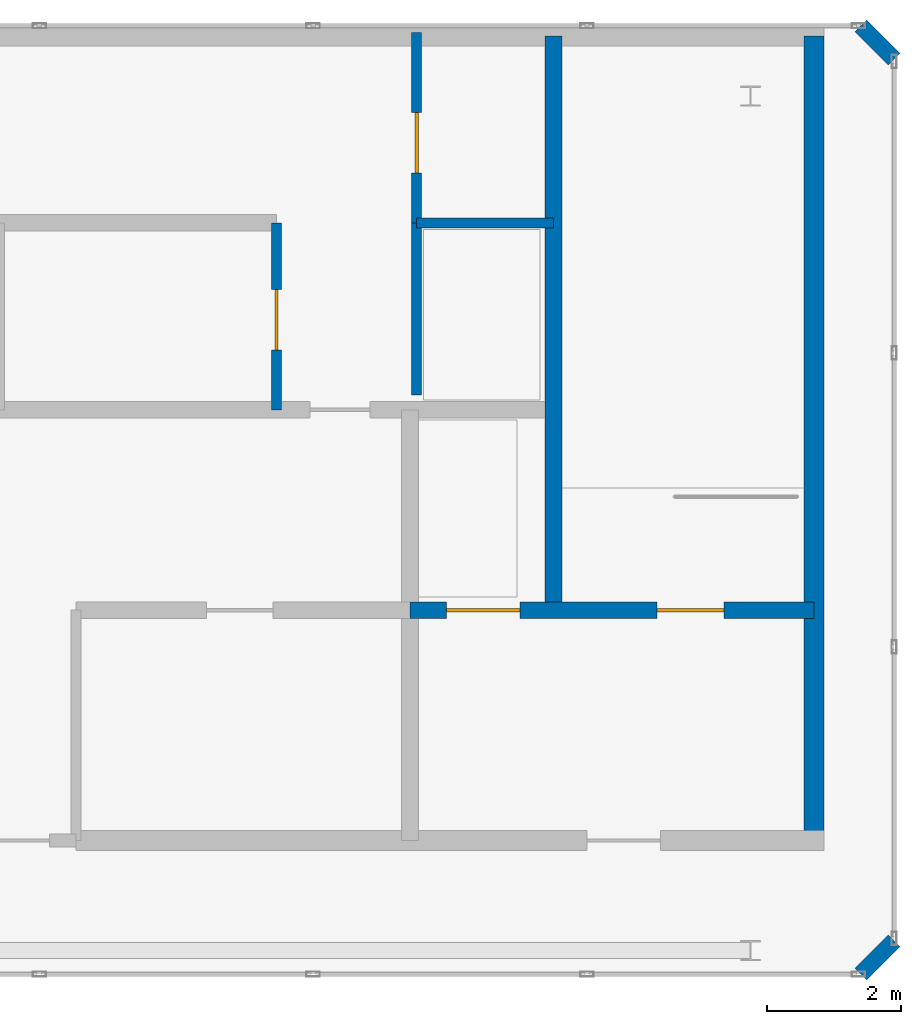
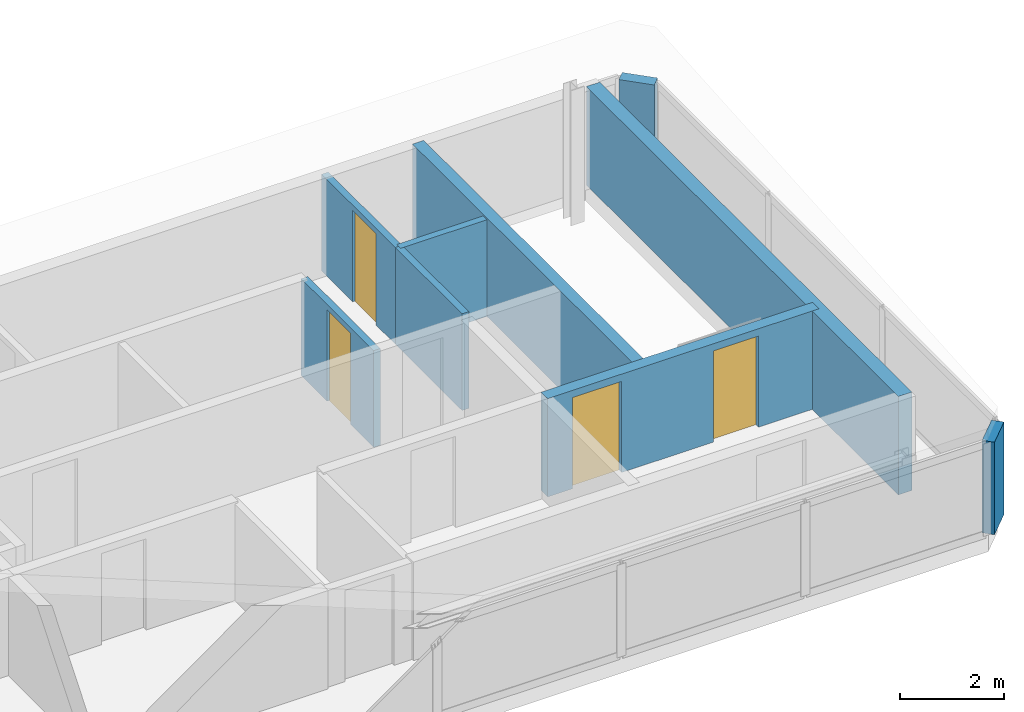
# One storey, part 8 of 9: 9 walls, 4 doors, 4 openings.
"""IFC4 building model written with IfcOpenShell, lengths in metres."""

from ifc_helpers import new_model, si_unit, direction, frame, frame_2d, origin, place, context, subcontext, project, spatial, rectangle, extrude, material, layer, layer_set, type_object, element, fill, save


model = new_model("IFC4")

# Units and contexts
model_context = context("Model", 3, precision=1e-05, world=origin(), true_north=direction((0.0, 1.0)))
body_context = subcontext(model_context, "Body", "Model", "MODEL_VIEW")
ifc_project = project(units=[si_unit("LENGTHUNIT", "METRE"), si_unit("AREAUNIT", "SQUARE_METRE"), si_unit("VOLUMEUNIT", "CUBIC_METRE"), si_unit("PLANEANGLEUNIT", "RADIAN"), si_unit("MASSUNIT", "GRAM", prefix="KILO")], contexts=[model_context])

# Site, building, storey
site_placement = place(None, origin())
site = spatial("IfcSite", under=ifc_project, at=site_placement, CompositionType="ELEMENT")
building_placement = place(site_placement, origin())
building = spatial("IfcBuilding", under=site, at=building_placement, Name="Catumbela Crestline Tower", CompositionType="ELEMENT")
storey_placement = place(building_placement, frame((0.0, 0.0, 318.5)))
storey = spatial("IfcBuildingStorey", under=building, at=storey_placement, Name="L82", CompositionType="ELEMENT", Elevation=318.5)

# Wall
ifc_material_1 = material(Name="Concrete C50/60", Category="concrete")
ifc_layer_1 = layer(ifc_material_1, 0.25, Name="Concrete C50/60")
ifc_layer_set_1 = layer_set([ifc_layer_1], Name="Concrete C50/60")
wall_type_1 = type_object("IfcWallType", Name="CW-250D", PredefinedType="SHEAR", material=ifc_layer_set_1)
wall_1_placement = place(storey_placement, frame((36.1, 34.25, 0.0), z_axis=(0.0, 0.0, 1.0), x_axis=(0.0, 1.0, 0.0)))
element("IfcWall", 1, at=wall_1_placement, inside=storey, type_object=wall_type_1, Name="L82 Structural Core Shear Wall EWEB", PredefinedType="SHEAR", context=body_context, shape_type="SweptSolid", body=[
    extrude(rectangle(XDim=8.6, YDim=0.25, at=frame_2d((4.3, 0.0))), origin(), (0.0, 0.0, 1.0), 2.32),
])

# Wall, openings, doors
wall_2_placement = place(storey_placement, frame((33.95, 34.25, 0.0), z_axis=(0.0, 0.0, 1.0), x_axis=(1.0, 0.0, 0.0)))
wall_2 = element("IfcWall", 2, at=wall_2_placement, inside=storey, type_object=wall_type_1, Name="L82 Structural Core Shear Wall ST2S", PredefinedType="SHEAR", context=body_context, shape_type="SweptSolid", body=[
    extrude(rectangle(XDim=6.05, YDim=0.25, at=frame_2d((3.025, 0.0))), origin(), (0.0, 0.0, 1.0), 2.32),
])
opening_1_placement = place(wall_2_placement, frame((3.7, 0.0, 0.0)))
opening_1 = element("IfcOpeningElement", 3, at=opening_1_placement, cuts=wall_2, Name="Opening DF9-100", PredefinedType="OPENING", context=body_context, shape_type="SweptSolid", body=[
    extrude(rectangle(XDim=1.0, YDim=2.15, at=frame_2d((0.5, 1.075))), frame((0.0, 0.135, 0.0), z_axis=(0.0, -1.0, 0.0), x_axis=(1.0, 0.0, 0.0)), (0.0, 0.0, 1.0), 0.27),
])
opening_2_placement = place(wall_2_placement, frame((0.55, 0.0, 0.0)))
opening_2 = element("IfcOpeningElement", 4, at=opening_2_placement, cuts=wall_2, Name="Opening LD-110", PredefinedType="OPENING", context=body_context, shape_type="SweptSolid", body=[
    extrude(rectangle(XDim=1.1, YDim=2.15, at=frame_2d((0.55, 1.075))), frame((0.0, 0.135, 0.0), z_axis=(0.0, -1.0, 0.0), x_axis=(1.0, 0.0, 0.0)), (0.0, 0.0, 1.0), 0.27),
])
ifc_material_2 = material(Name="Stainless steel EN 1.4401", Category="steel")
door_type_1 = type_object("IfcDoorType", Name="DF9-100", OperationType="NOTDEFINED", PredefinedType="DOOR", material=ifc_material_2)
door_1_placement = place(opening_1_placement, origin())
door_1 = element("IfcDoor", 5, at=door_1_placement, inside=storey, type_object=door_type_1, Name="L82 Interior Door DR-L82-ST02", OperationType="SINGLE_SWING_RIGHT", OverallHeight=2.15, OverallWidth=1.0, PredefinedType="DOOR", context=body_context, shape_type="SweptSolid", body=[
    extrude(rectangle(XDim=1.0, YDim=2.15, at=frame_2d((0.5, 1.075))), frame((0.0, 0.025, 0.0), z_axis=(0.0, -1.0, 0.0), x_axis=(1.0, 0.0, 0.0)), (0.0, 0.0, 1.0), 0.05),
])
fill(opening_1, door_1)
door_type_2 = type_object("IfcDoorType", Name="LD-110", OperationType="NOTDEFINED", PredefinedType="DOOR", material=ifc_material_2)
door_2_placement = place(opening_2_placement, origin())
door_2 = element("IfcDoor", 6, at=door_2_placement, inside=storey, type_object=door_type_2, Name="L82 Lift Landing Sliding Door FL-02", OperationType="DOUBLE_DOOR_SLIDING", OverallHeight=2.15, OverallWidth=1.1, PredefinedType="DOOR", context=body_context, shape_type="SweptSolid", body=[
    extrude(rectangle(XDim=1.1, YDim=2.15, at=frame_2d((0.55, 1.075))), frame((0.0, 0.025, 0.0), z_axis=(0.0, -1.0, 0.0), x_axis=(1.0, 0.0, 0.0)), (0.0, 0.0, 1.0), 0.05),
])
fill(opening_2, door_2)

# Walls
ifc_material_3 = material(Name="Concrete C45/55", Category="concrete")
ifc_layer_2 = layer(ifc_material_3, 0.3, Name="Concrete C45/55")
ifc_layer_set_2 = layer_set([ifc_layer_2], Name="Concrete C45/55")
wall_type_2 = type_object("IfcWallType", Name="CW-300C", PredefinedType="SHEAR", material=ifc_layer_set_2)
wall_3_placement = place(storey_placement, frame((40.0, 30.8, 0.0), z_axis=(0.0, 0.0, 1.0), x_axis=(0.0, 1.0, 0.0)))
element("IfcWall", 7, at=wall_3_placement, inside=storey, type_object=wall_type_2, Name="L82 Structural Core Shear Wall E", PredefinedType="SHEAR", context=body_context, shape_type="SweptSolid", body=[
    extrude(rectangle(XDim=12.05, YDim=0.3, at=frame_2d((6.025, 0.0))), origin(), (0.0, 0.0, 1.0), 2.32),
])
ifc_material_4 = material(Name="Angolan grey-ochre granite", Category="masonry")
ifc_layer_3 = layer(ifc_material_4, 0.25, Name="Angolan grey-ochre granite")
ifc_layer_set_3 = layer_set([ifc_layer_3], Name="Angolan grey-ochre granite")
wall_type_3 = type_object("IfcWallType", Name="WE-250", PredefinedType="STANDARD", material=ifc_layer_set_3)
for number, where, z_axis, x_axis, name in (
    (8, (40.7, 28.8, 0.0), (0.0, 0.0, 1.0), (0.707106781187, 0.707106781187, 0.0), "L82 Granite Punched Window Wall 1-1"),
    (9, (41.2, 42.5, 0.0), (0.0, 0.0, 1.0), (-0.707106781187, 0.707106781187, 0.0), "L82 Granite Punched Window Wall 3-1"),
):
    element("IfcWall", number, at=place(storey_placement, frame(where, z_axis=z_axis, x_axis=x_axis)), inside=storey, type_object=wall_type_3, Name=name, PredefinedType="STANDARD", context=body_context, shape_type="SweptSolid", body=[
        extrude(rectangle(XDim=0.7071, YDim=0.25, at=frame_2d((0.3535, 0.0))), origin(), (0.0, 0.0, 1.0), 2.18),
    ])
ifc_material_5 = material(Name="Acoustic gypsum and mineral-wool partition")
ifc_layer_4 = layer(ifc_material_5, 0.15, Name="Acoustic gypsum and mineral-wool partition")
ifc_layer_set_4 = layer_set([ifc_layer_4], Name="Acoustic gypsum and mineral-wool partition")
wall_type_4 = type_object("IfcWallType", Name="WP-150", PredefinedType="PARTITIONING", material=ifc_layer_set_4)
wall_4_placement = place(storey_placement, frame((34.05, 40.05, 0.0), z_axis=(0.0, 0.0, 1.0), x_axis=(1.0, 0.0, 0.0)))
element("IfcWall", 10, at=wall_4_placement, inside=storey, type_object=wall_type_4, Name="L82 Interior Partition PW-L82-CR-ES", PredefinedType="PARTITIONING", context=body_context, shape_type="SweptSolid", body=[
    extrude(rectangle(XDim=2.05, YDim=0.15, at=frame_2d((1.025, 0.0))), origin(), (0.0, 0.0, 1.0), 2.28),
])

# Wall, opening, door
wall_5_placement = place(storey_placement, frame((34.05, 40.05, 0.0), z_axis=(0.0, 0.0, 1.0), x_axis=(0.0, 1.0, 0.0)))
wall_5 = element("IfcWall", 11, at=wall_5_placement, inside=storey, type_object=wall_type_4, Name="L82 Interior Partition PW-L82-CR-EW", PredefinedType="PARTITIONING", context=body_context, shape_type="SweptSolid", body=[
    extrude(rectangle(XDim=2.85, YDim=0.15, at=frame_2d((1.425, 0.0))), origin(), (0.0, 0.0, 1.0), 2.28),
])
opening_3_placement = place(wall_5_placement, frame((0.75, 0.0, 0.0)))
opening_3 = element("IfcOpeningElement", 12, at=opening_3_placement, cuts=wall_5, Name="Opening DF9-090", PredefinedType="OPENING", context=body_context, shape_type="SweptSolid", body=[
    extrude(rectangle(XDim=0.9, YDim=2.15, at=frame_2d((0.45, 1.075))), frame((0.0, 0.085, 0.0), z_axis=(0.0, -1.0, 0.0), x_axis=(1.0, 0.0, 0.0)), (0.0, 0.0, 1.0), 0.17),
])
door_type_3 = type_object("IfcDoorType", Name="DF9-090", OperationType="NOTDEFINED", PredefinedType="DOOR", material=ifc_material_2)
door_3_placement = place(opening_3_placement, origin())
door_3 = element("IfcDoor", 13, at=door_3_placement, inside=storey, type_object=door_type_3, Name="L82 Interior Door DR-L82-CREAST", OperationType="SINGLE_SWING_RIGHT", OverallHeight=2.15, OverallWidth=0.9, PredefinedType="DOOR", context=body_context, shape_type="SweptSolid", body=[
    extrude(rectangle(XDim=0.9, YDim=2.15, at=frame_2d((0.45, 1.075))), frame((0.0, 0.025, 0.0), z_axis=(0.0, -1.0, 0.0), x_axis=(1.0, 0.0, 0.0)), (0.0, 0.0, 1.0), 0.05),
])
fill(opening_3, door_3)

ifc_layer_5 = layer(ifc_material_5, 0.15, Name="Acoustic gypsum and mineral-wool partition")
ifc_layer_set_5 = layer_set([ifc_layer_5], Name="Acoustic gypsum and mineral-wool partition")
wall_type_5 = type_object("IfcWallType", Name="WS-150", PredefinedType="PLUMBINGWALL", material=ifc_layer_set_5)
wall_6_placement = place(storey_placement, frame((31.95, 37.25, 0.0), z_axis=(0.0, 0.0, 1.0), x_axis=(0.0, 1.0, 0.0)))
wall_6 = element("IfcWall", 14, at=wall_6_placement, inside=storey, type_object=wall_type_5, Name="L82 Interior Partition PW-L82-SHEX2E", PredefinedType="PLUMBINGWALL", context=body_context, shape_type="SweptSolid", body=[
    extrude(rectangle(XDim=2.8, YDim=0.15, at=frame_2d((1.4, 0.0))), origin(), (0.0, 0.0, 1.0), 2.28),
])
opening_4_placement = place(wall_6_placement, frame((0.9, 0.0, 0.0)))
opening_4 = element("IfcOpeningElement", 15, at=opening_4_placement, cuts=wall_6, Name="Opening DF9-090", PredefinedType="OPENING", context=body_context, shape_type="SweptSolid", body=[
    extrude(rectangle(XDim=0.9, YDim=2.15, at=frame_2d((0.45, 1.075))), frame((0.0, 0.085, 0.0), z_axis=(0.0, -1.0, 0.0), x_axis=(1.0, 0.0, 0.0)), (0.0, 0.0, 1.0), 0.17),
])
door_4_placement = place(opening_4_placement, origin())
door_4 = element("IfcDoor", 16, at=door_4_placement, inside=storey, type_object=door_type_3, Name="L82 Interior Door DR-L82-RECEX", OperationType="SINGLE_SWING_LEFT", OverallHeight=2.15, OverallWidth=0.9, PredefinedType="DOOR", context=body_context, shape_type="SweptSolid", body=[
    extrude(rectangle(XDim=0.9, YDim=2.15, at=frame_2d((0.45, 1.075))), frame((0.0, 0.025, 0.0), z_axis=(0.0, -1.0, 0.0), x_axis=(1.0, 0.0, 0.0)), (0.0, 0.0, 1.0), 0.05),
])
fill(opening_4, door_4)

# Wall
wall_7_placement = place(storey_placement, frame((34.05, 37.4734, 0.0), z_axis=(0.0, 0.0, 1.0), x_axis=(0.0, 1.0, 0.0)))
element("IfcWall", 17, at=wall_7_placement, inside=storey, type_object=wall_type_5, Name="L82 Interior Partition PW-L82-RISW", PredefinedType="PLUMBINGWALL", context=body_context, shape_type="SweptSolid", body=[
    extrude(rectangle(XDim=2.5766, YDim=0.15, at=frame_2d((1.2883, 0.0))), origin(), (0.0, 0.0, 1.0), 2.28),
])

save(model, "model.ifc")
